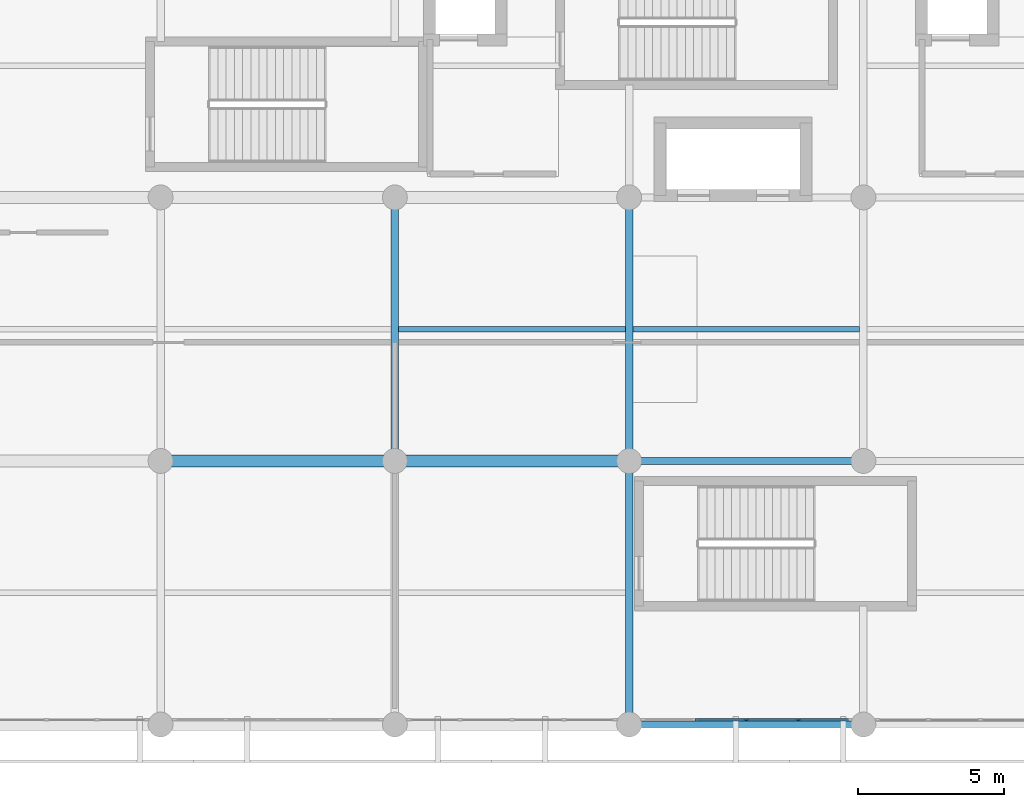
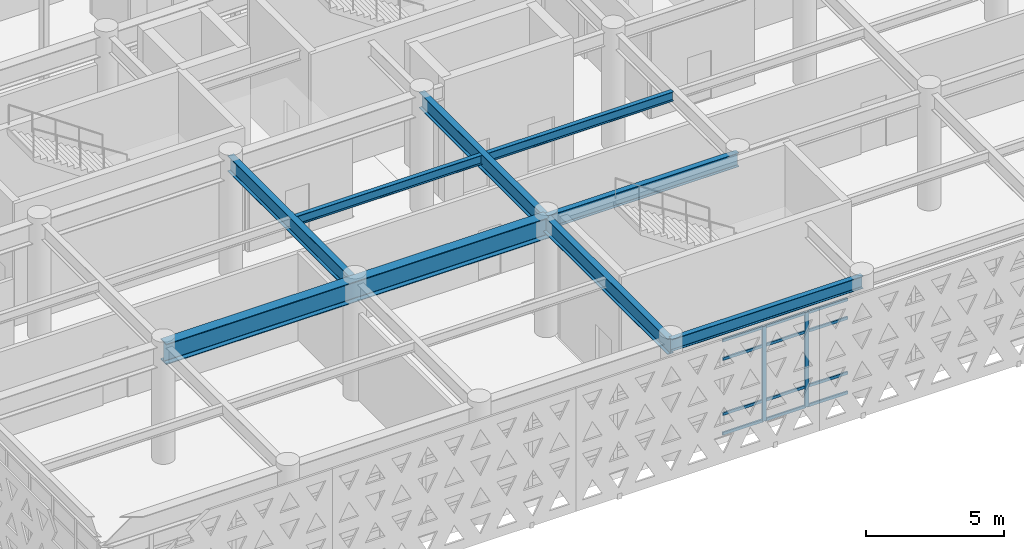
# One storey, part 11 of 84: 14 members, 8 beams, 1 element without a shape of its own.
"""IFC4 building model written with IfcOpenShell, lengths in metres."""

from ifc_helpers import new_model, si_unit, direction, frame, origin, origin_2d, place, context, subcontext, project, spatial, rectangle, i_section, extrude, material, layer, layer_set, material_profile, profile_set, type_object, element, aggregate, save


model = new_model("IFC4")

# Units and contexts
model_context = context("Model", 3, precision=1e-05, world=origin(), true_north=direction((0.0, 1.0)))
body_context = subcontext(model_context, "Body", "Model", "MODEL_VIEW")
ifc_project = project(units=[si_unit("LENGTHUNIT", "METRE"), si_unit("AREAUNIT", "SQUARE_METRE"), si_unit("VOLUMEUNIT", "CUBIC_METRE"), si_unit("PLANEANGLEUNIT", "RADIAN"), si_unit("MASSUNIT", "GRAM", prefix="KILO")], contexts=[model_context])

# Site, building, storey
site_placement = place(None, origin())
site = spatial("IfcSite", under=ifc_project, at=site_placement, CompositionType="ELEMENT")
building_placement = place(site_placement, origin())
building = spatial("IfcBuilding", under=site, at=building_placement, Name="Tlacozan Convention Centre", CompositionType="ELEMENT")
storey_placement = place(building_placement, frame((0.0, 0.0, 6.0)))
storey = spatial("IfcBuildingStorey", under=building, at=storey_placement, Name="L01", CompositionType="ELEMENT", Elevation=6.0)

# Curtain wall, members
ifc_material_1 = material(Name="Dark Bronze Anodised Aluminium", Category="aluminium")
ifc_layer = layer(ifc_material_1, 0.159912109375)
ifc_layer_set = layer_set([ifc_layer], Name="Dark Bronze Anodised Aluminium")
curtain_wall_type = type_object("IfcCurtainWallType", Name="Unitised Congress L01 South CW02", PredefinedType="NOTDEFINED", material=ifc_layer_set)
curtain_wall_placement = place(storey_placement, origin())
curtain_wall = element("IfcCurtainWall", 1, at=curtain_wall_placement, inside=storey, type_object=curtain_wall_type, Name="L01 CW-02 Run 58", PredefinedType="NOTDEFINED")
ifc_material_profile_1 = material_profile(ifc_material_1, rectangle(XDim=0.06494140625, YDim=0.159912109375, at=origin_2d()), Name="ALU 65x160")
ifc_profile_set_1 = profile_set([ifc_material_profile_1], Name="Dark Bronze Anodised Aluminium")
member_type_1 = type_object("IfcMemberType", Name="Curtain Wall Mullion 65x160", PredefinedType="MULLION", material=ifc_profile_set_1)
member_1_placement = place(storey_placement, frame((28.0, 0.159912109375, 0.0), z_axis=(0.0, 0.0, 1.0), x_axis=(0.0, 1.0, 0.0)))
member_1 = element("IfcMember", 2, at=member_1_placement, type_object=member_type_1, Name="CW-02 mullion 3", PredefinedType="MULLION", context=body_context, shape_type="SweptSolid", body=[
    extrude(rectangle(XDim=0.06494140625, YDim=0.159912109375, at=origin_2d()), origin(), (0.0, 0.0, 1.0), 4.179931640625),
])
member_2_placement = place(storey_placement, frame((29.77490234375, 0.159912109375, 0.0), z_axis=(0.0, 0.0, 1.0), x_axis=(0.0, 1.0, 0.0)))
member_2 = element("IfcMember", 3, at=member_2_placement, type_object=member_type_1, Name="CW-02 mullion 4", PredefinedType="MULLION", context=body_context, shape_type="SweptSolid", body=[
    extrude(rectangle(XDim=0.06494140625, YDim=0.159912109375, at=origin_2d()), origin(), (0.0, 0.0, 1.0), 4.179931640625),
])
ifc_material_profile_2 = material_profile(ifc_material_1, rectangle(XDim=0.06494140625, YDim=0.125, at=origin_2d()), Name="ALU 65x125")
ifc_profile_set_2 = profile_set([ifc_material_profile_2], Name="Dark Bronze Anodised Aluminium")
member_type_2 = type_object("IfcMemberType", Name="Curtain Wall Transom 65x125", PredefinedType="USERDEFINED", material=ifc_profile_set_2)
member_3_placement = place(storey_placement, frame((26.257568359375, 0.159912109375, 0.032470703125), z_axis=(1.0, 0.0, 0.0), x_axis=(0.0, 1.0, 0.0)))
member_3 = element("IfcMember", 4, at=member_3_placement, type_object=member_type_2, Name="CW-02 transom 2.1", ObjectType="TRANSOM", PredefinedType="USERDEFINED", context=body_context, shape_type="SweptSolid", body=[
    extrude(rectangle(XDim=0.06494140625, YDim=0.125, at=origin_2d()), origin(), (0.0, 0.0, 1.0), 1.7099609375),
])
member_4_placement = place(storey_placement, frame((26.257568359375, 0.159912109375, 0.89990234375), z_axis=(1.0, 0.0, 0.0), x_axis=(0.0, 1.0, 0.0)))
member_4 = element("IfcMember", 5, at=member_4_placement, type_object=member_type_2, Name="CW-02 transom 2.2", ObjectType="TRANSOM", PredefinedType="USERDEFINED", context=body_context, shape_type="SweptSolid", body=[
    extrude(rectangle(XDim=0.06494140625, YDim=0.125, at=origin_2d()), origin(), (0.0, 0.0, 1.0), 1.7099609375),
])
member_5_placement = place(storey_placement, frame((26.257568359375, 0.159912109375, 3.330078125), z_axis=(1.0, 0.0, 0.0), x_axis=(0.0, 1.0, 0.0)))
member_5 = element("IfcMember", 6, at=member_5_placement, type_object=member_type_2, Name="CW-02 transom 2.3", ObjectType="TRANSOM", PredefinedType="USERDEFINED", context=body_context, shape_type="SweptSolid", body=[
    extrude(rectangle(XDim=0.06494140625, YDim=0.125, at=origin_2d()), origin(), (0.0, 0.0, 1.0), 1.7099609375),
])
member_6_placement = place(storey_placement, frame((26.257568359375, 0.159912109375, 4.1474609375), z_axis=(1.0, 0.0, 0.0), x_axis=(0.0, 1.0, 0.0)))
member_6 = element("IfcMember", 7, at=member_6_placement, type_object=member_type_2, Name="CW-02 transom 2.4", ObjectType="TRANSOM", PredefinedType="USERDEFINED", context=body_context, shape_type="SweptSolid", body=[
    extrude(rectangle(XDim=0.06494140625, YDim=0.125, at=origin_2d()), origin(), (0.0, 0.0, 1.0), 1.7099609375),
])
member_7_placement = place(storey_placement, frame((28.032470703125, 0.159912109375, 0.032470703125), z_axis=(1.0, 0.0, 0.0), x_axis=(0.0, 1.0, 0.0)))
member_7 = element("IfcMember", 8, at=member_7_placement, type_object=member_type_2, Name="CW-02 transom 3.1", ObjectType="TRANSOM", PredefinedType="USERDEFINED", context=body_context, shape_type="SweptSolid", body=[
    extrude(rectangle(XDim=0.06494140625, YDim=0.125, at=origin_2d()), origin(), (0.0, 0.0, 1.0), 1.7099609375),
])
member_8_placement = place(storey_placement, frame((28.032470703125, 0.159912109375, 0.89990234375), z_axis=(1.0, 0.0, 0.0), x_axis=(0.0, 1.0, 0.0)))
member_8 = element("IfcMember", 9, at=member_8_placement, type_object=member_type_2, Name="CW-02 transom 3.2", ObjectType="TRANSOM", PredefinedType="USERDEFINED", context=body_context, shape_type="SweptSolid", body=[
    extrude(rectangle(XDim=0.06494140625, YDim=0.125, at=origin_2d()), origin(), (0.0, 0.0, 1.0), 1.7099609375),
])
member_9_placement = place(storey_placement, frame((28.032470703125, 0.159912109375, 3.330078125), z_axis=(1.0, 0.0, 0.0), x_axis=(0.0, 1.0, 0.0)))
member_9 = element("IfcMember", 10, at=member_9_placement, type_object=member_type_2, Name="CW-02 transom 3.3", ObjectType="TRANSOM", PredefinedType="USERDEFINED", context=body_context, shape_type="SweptSolid", body=[
    extrude(rectangle(XDim=0.06494140625, YDim=0.125, at=origin_2d()), origin(), (0.0, 0.0, 1.0), 1.7099609375),
])
member_10_placement = place(storey_placement, frame((28.032470703125, 0.159912109375, 4.1474609375), z_axis=(1.0, 0.0, 0.0), x_axis=(0.0, 1.0, 0.0)))
member_10 = element("IfcMember", 11, at=member_10_placement, type_object=member_type_2, Name="CW-02 transom 3.4", ObjectType="TRANSOM", PredefinedType="USERDEFINED", context=body_context, shape_type="SweptSolid", body=[
    extrude(rectangle(XDim=0.06494140625, YDim=0.125, at=origin_2d()), origin(), (0.0, 0.0, 1.0), 1.7099609375),
])
member_11_placement = place(storey_placement, frame((29.8076171875, 0.159912109375, 0.032470703125), z_axis=(1.0, 0.0, 0.0), x_axis=(0.0, 1.0, 0.0)))
member_11 = element("IfcMember", 12, at=member_11_placement, type_object=member_type_2, Name="CW-02 transom 4.1", ObjectType="TRANSOM", PredefinedType="USERDEFINED", context=body_context, shape_type="SweptSolid", body=[
    extrude(rectangle(XDim=0.06494140625, YDim=0.125, at=origin_2d()), origin(), (0.0, 0.0, 1.0), 1.677490234375),
])
member_12_placement = place(storey_placement, frame((29.8076171875, 0.159912109375, 0.89990234375), z_axis=(1.0, 0.0, 0.0), x_axis=(0.0, 1.0, 0.0)))
member_12 = element("IfcMember", 13, at=member_12_placement, type_object=member_type_2, Name="CW-02 transom 4.2", ObjectType="TRANSOM", PredefinedType="USERDEFINED", context=body_context, shape_type="SweptSolid", body=[
    extrude(rectangle(XDim=0.06494140625, YDim=0.125, at=origin_2d()), origin(), (0.0, 0.0, 1.0), 1.677490234375),
])
member_13_placement = place(storey_placement, frame((29.8076171875, 0.159912109375, 3.330078125), z_axis=(1.0, 0.0, 0.0), x_axis=(0.0, 1.0, 0.0)))
member_13 = element("IfcMember", 14, at=member_13_placement, type_object=member_type_2, Name="CW-02 transom 4.3", ObjectType="TRANSOM", PredefinedType="USERDEFINED", context=body_context, shape_type="SweptSolid", body=[
    extrude(rectangle(XDim=0.06494140625, YDim=0.125, at=origin_2d()), origin(), (0.0, 0.0, 1.0), 1.677490234375),
])
member_14_placement = place(storey_placement, frame((29.8076171875, 0.159912109375, 4.1474609375), z_axis=(1.0, 0.0, 0.0), x_axis=(0.0, 1.0, 0.0)))
member_14 = element("IfcMember", 15, at=member_14_placement, type_object=member_type_2, Name="CW-02 transom 4.4", ObjectType="TRANSOM", PredefinedType="USERDEFINED", context=body_context, shape_type="SweptSolid", body=[
    extrude(rectangle(XDim=0.06494140625, YDim=0.125, at=origin_2d()), origin(), (0.0, 0.0, 1.0), 1.677490234375),
])
aggregate(curtain_wall, [member_1, member_2, member_3, member_4, member_5, member_6, member_7, member_8, member_9, member_10, member_11, member_12, member_13, member_14])

# Beams
ifc_material_2 = material(Name="Steel ASTM A992 Grade 50", Category="steel")
ifc_material_profile_3 = material_profile(ifc_material_2, i_section(OverallWidth=0.22900390625, OverallDepth=0.612060546875, WebThickness=0.011962890625, FlangeThickness=0.01953125, FilletRadius=0.012939453125, at=origin_2d()), Name="IR 610x125.0")
ifc_profile_set_3 = profile_set([ifc_material_profile_3], Name="Steel ASTM A992 Grade 50")
beam_type_1 = type_object("IfcBeamType", Name="Floor Beam IR 610x125", PredefinedType="BEAM", material=ifc_profile_set_3)
beam_1_placement = place(storey_placement, frame((24.0, 9.0, 4.833984375), z_axis=(1.0, 0.0, 0.0), x_axis=(0.0, 1.0, 0.0)))
element("IfcBeam", 16, at=beam_1_placement, inside=storey, type_object=beam_type_1, Name="L01 Floor Beam IR 610x125 328", PredefinedType="BEAM", context=body_context, shape_type="SweptSolid", body=[
    extrude(i_section(OverallWidth=0.22900390625, OverallDepth=0.612060546875, WebThickness=0.011962890625, FlangeThickness=0.01953125, FilletRadius=0.012939453125, at=origin_2d()), origin(), (0.0, 0.0, 1.0), 8.0),
])
ifc_material_profile_4 = material_profile(ifc_material_2, i_section(OverallWidth=0.256103515625, OverallDepth=0.693115234375, WebThickness=0.014404296875, FlangeThickness=0.023681640625, FilletRadius=0.014892578125, at=origin_2d()), Name="IR 686x170.0")
ifc_profile_set_4 = profile_set([ifc_material_profile_4], Name="Steel ASTM A992 Grade 50")
beam_type_2 = type_object("IfcBeamType", Name="Girder Steel IR 686x170", PredefinedType="BEAM", material=ifc_profile_set_4)
for number, where, z_axis, x_axis, name in (
    (17, (16.0, 9.0, 4.79345703125), (0.0, 1.0, 0.0), (-1.0, 0.0, 0.0), "L01 Girder Steel IR 686x170 267"),
    (18, (24.0, 0.0, 4.79345703125), (0.0, 1.0, 0.0), (-1.0, 0.0, 0.0), "L01 Girder Steel IR 686x170 269"),
    (19, (24.0, 9.0, 4.79345703125), (0.0, 1.0, 0.0), (-1.0, 0.0, 0.0), "L01 Girder Steel IR 686x170 270"),
):
    element("IfcBeam", number, at=place(storey_placement, frame(where, z_axis=z_axis, x_axis=x_axis)), inside=storey, type_object=beam_type_2, Name=name, PredefinedType="BEAM", context=body_context, shape_type="SweptSolid", body=[
        extrude(i_section(OverallWidth=0.256103515625, OverallDepth=0.693115234375, WebThickness=0.014404296875, FlangeThickness=0.023681640625, FilletRadius=0.014892578125, at=origin_2d()), origin(), (0.0, 0.0, 1.0), 9.0),
    ])
ifc_material_profile_5 = material_profile(ifc_material_2, i_section(OverallWidth=0.2109375, OverallDepth=0.5390625, WebThickness=0.01171875, FlangeThickness=0.018798828125, FilletRadius=0.012939453125, at=origin_2d()), Name="IR 533x109.0")
ifc_profile_set_5 = profile_set([ifc_material_profile_5], Name="Steel ASTM A992 Grade 50")
beam_type_3 = type_object("IfcBeamType", Name="Perimeter Spandrel IR 533x109", PredefinedType="SPANDREL", material=ifc_profile_set_5)
beam_2_placement = place(storey_placement, frame((24.0, 0.0, 4.87060546875), z_axis=(1.0, 0.0, 0.0), x_axis=(0.0, 1.0, 0.0)))
element("IfcBeam", 20, at=beam_2_placement, inside=storey, type_object=beam_type_3, Name="L01 Perimeter Spandrel IR 533x109 327", PredefinedType="SPANDREL", context=body_context, shape_type="SweptSolid", body=[
    extrude(i_section(OverallWidth=0.2109375, OverallDepth=0.5390625, WebThickness=0.01171875, FlangeThickness=0.018798828125, FilletRadius=0.012939453125, at=origin_2d()), origin(), (0.0, 0.0, 1.0), 8.0),
])
ifc_material_profile_6 = material_profile(ifc_material_2, i_section(OverallWidth=0.179931640625, OverallDepth=0.4130859375, WebThickness=0.009765625, FlangeThickness=0.01611328125, FilletRadius=0.010986328125, at=origin_2d()), Name="IR 406x74.4")
ifc_profile_set_6 = profile_set([ifc_material_profile_6], Name="Steel ASTM A992 Grade 50")
beam_type_4 = type_object("IfcBeamType", Name="Secondary Joist IR 406x74.4", PredefinedType="JOIST", material=ifc_profile_set_6)
for number, where, z_axis, x_axis, name in (
    (21, (16.1259765625, 13.5, 4.93359375), (1.0, 0.0, 0.0), (0.0, 1.0, 0.0), "L01 Secondary Joist IR 406x74.4 369"),
    (22, (24.1259765625, 13.5, 4.93359375), (1.0, 0.0, 0.0), (0.0, 1.0, 0.0), "L01 Secondary Joist IR 406x74.4 371"),
):
    element("IfcBeam", number, at=place(storey_placement, frame(where, z_axis=z_axis, x_axis=x_axis)), inside=storey, type_object=beam_type_4, Name=name, PredefinedType="JOIST", context=body_context, shape_type="SweptSolid", body=[
        extrude(i_section(OverallWidth=0.179931640625, OverallDepth=0.4130859375, WebThickness=0.009765625, FlangeThickness=0.01611328125, FilletRadius=0.010986328125, at=origin_2d()), origin(), (0.0, 0.0, 1.0), 7.748046875),
    ])
ifc_material_profile_7 = material_profile(ifc_material_2, i_section(OverallWidth=0.41796875, OverallDepth=0.912109375, WebThickness=0.019287109375, FlangeThickness=0.031982421875, FilletRadius=0.02001953125, at=origin_2d()), Name="IR 914x342.0")
ifc_profile_set_7 = profile_set([ifc_material_profile_7], Name="Steel ASTM A992 Grade 50")
beam_type_5 = type_object("IfcBeamType", Name="Transfer Girder IR 914x342", PredefinedType="BEAM", material=ifc_profile_set_7)
beam_3_placement = place(storey_placement, frame((24.0, 9.0, 4.68408203125), z_axis=(-1.0, 0.0, 0.0), x_axis=(0.0, -1.0, 0.0)))
element("IfcBeam", 23, at=beam_3_placement, inside=storey, type_object=beam_type_5, Name="L01 Transfer Girder IR 914x342 315", PredefinedType="BEAM", context=body_context, shape_type="SweptSolid", body=[
    extrude(i_section(OverallWidth=0.41796875, OverallDepth=0.912109375, WebThickness=0.019287109375, FlangeThickness=0.031982421875, FilletRadius=0.02001953125, at=origin_2d()), origin(), (0.0, 0.0, 1.0), 16.0),
])

save(model, "model.ifc")
